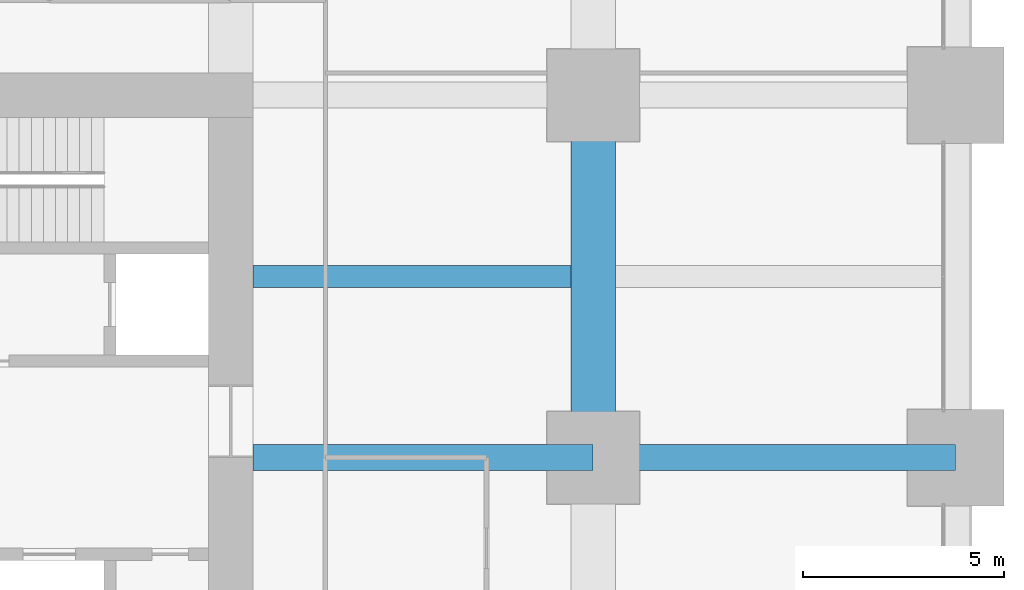
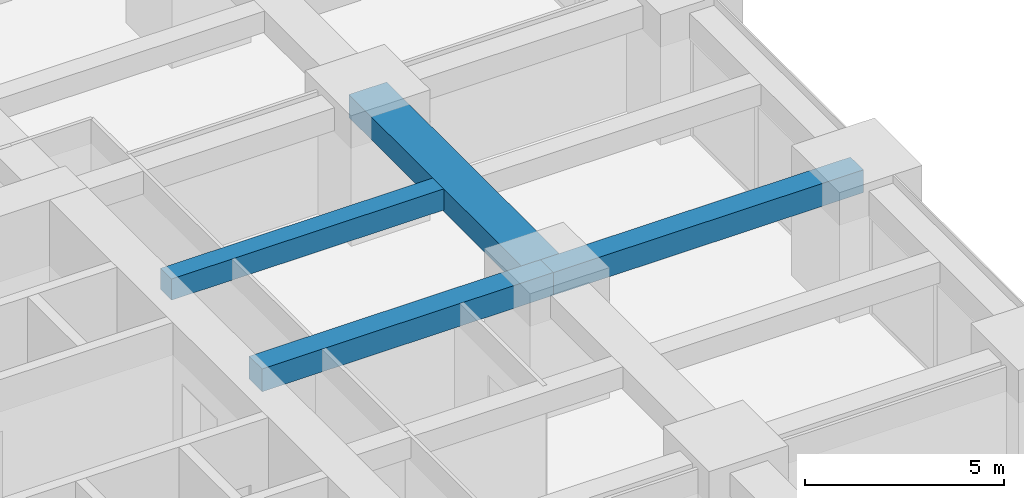
# One storey, part 21 of 44: 4 beams.
"""IFC4 building model written with IfcOpenShell, lengths in metres."""

from ifc_helpers import new_model, si_unit, direction, frame, origin, origin_2d, place, context, subcontext, project, spatial, rectangle, extrude, material, material_profile, profile_set, type_object, element, save


model = new_model("IFC4")

# Units and contexts
model_context = context("Model", 3, precision=1e-05, world=origin(), true_north=direction((0.0, 1.0)))
body_context = subcontext(model_context, "Body", "Model", "MODEL_VIEW")
ifc_project = project(units=[si_unit("LENGTHUNIT", "METRE"), si_unit("AREAUNIT", "SQUARE_METRE"), si_unit("VOLUMEUNIT", "CUBIC_METRE"), si_unit("PLANEANGLEUNIT", "RADIAN"), si_unit("MASSUNIT", "GRAM", prefix="KILO")], contexts=[model_context])

# Site, building, storey
site_placement = place(None, origin())
site = spatial("IfcSite", under=ifc_project, at=site_placement, CompositionType="ELEMENT")
building_placement = place(site_placement, origin())
building = spatial("IfcBuilding", under=site, at=building_placement, Name="Zorevar Civic Tower", CompositionType="ELEMENT")
storey_placement = place(building_placement, frame((0.0, 0.0, 31.800048828125)))
storey = spatial("IfcBuildingStorey", under=building, at=storey_placement, Name="L07", CompositionType="ELEMENT", Elevation=31.800048828125)

# Beams
ifc_material_1 = material(Name="Concrete C50/60", Category="concrete")
ifc_material_profile_1 = material_profile(ifc_material_1, rectangle(XDim=1.10009765625, YDim=0.699951171875, at=origin_2d()), Name="RC 1100x700")
ifc_profile_set_1 = profile_set([ifc_material_profile_1], Name="Concrete C50/60")
beam_type_1 = type_object("IfcBeamType", Name="Beam RC 1100x700", PredefinedType="BEAM", material=ifc_profile_set_1)
beam_1_placement = place(storey_placement, frame((54.0, 27.0, 3.39990234375), z_axis=(0.0, 1.0, 0.0), x_axis=(-1.0, 0.0, 0.0)))
element("IfcBeam", 1, at=beam_1_placement, inside=storey, type_object=beam_type_1, Name="Girder L08", PredefinedType="BEAM", context=body_context, shape_type="SweptSolid", body=[
    extrude(rectangle(XDim=1.10009765625, YDim=0.699951171875, at=origin_2d()), origin(), (0.0, 0.0, 1.0), 9.0),
])
ifc_material_2 = material(Name="Concrete C50/60", Category="concrete")
ifc_material_profile_2 = material_profile(ifc_material_2, rectangle(XDim=0.550048828125, YDim=0.64990234375, at=origin_2d()), Name="RC 550x650")
ifc_profile_set_2 = profile_set([ifc_material_profile_2], Name="Concrete C50/60")
beam_type_2 = type_object("IfcBeamType", Name="Beam RC 550x650", PredefinedType="BEAM", material=ifc_profile_set_2)
beam_2_placement = place(storey_placement, frame((45.550048828125, 31.5, 3.425048828125), z_axis=(1.0, 0.0, 0.0), x_axis=(0.0, 1.0, 0.0)))
element("IfcBeam", 2, at=beam_2_placement, inside=storey, type_object=beam_type_2, Name="Secondary beam L08", PredefinedType="BEAM", context=body_context, shape_type="SweptSolid", body=[
    extrude(rectangle(XDim=0.550048828125, YDim=0.64990234375, at=origin_2d()), origin(), (0.0, 0.0, 1.0), 7.89990234375),
])
ifc_material_3 = material(Name="Concrete C50/60", Category="concrete")
ifc_material_profile_3 = material_profile(ifc_material_3, rectangle(XDim=0.64990234375, YDim=0.699951171875, at=origin_2d()), Name="RC 650x700")
ifc_profile_set_3 = profile_set([ifc_material_profile_3], Name="Concrete C50/60")
beam_type_3 = type_object("IfcBeamType", Name="Beam RC 650x700", PredefinedType="BEAM", material=ifc_profile_set_3)
beam_3_placement = place(storey_placement, frame((45.550048828125, 27.0, 3.39990234375), z_axis=(1.0, 0.0, 0.0), x_axis=(0.0, 1.0, 0.0)))
element("IfcBeam", 3, at=beam_3_placement, inside=storey, type_object=beam_type_3, Name="Girder L08", PredefinedType="BEAM", context=body_context, shape_type="SweptSolid", body=[
    extrude(rectangle(XDim=0.64990234375, YDim=0.699951171875, at=origin_2d()), origin(), (0.0, 0.0, 1.0), 8.449951171875),
])
beam_4_placement = place(storey_placement, frame((54.0, 27.0, 3.39990234375), z_axis=(1.0, 0.0, 0.0), x_axis=(0.0, 1.0, 0.0)))
element("IfcBeam", 4, at=beam_4_placement, inside=storey, type_object=beam_type_3, Name="Girder L08", PredefinedType="BEAM", context=body_context, shape_type="SweptSolid", body=[
    extrude(rectangle(XDim=0.64990234375, YDim=0.699951171875, at=origin_2d()), origin(), (0.0, 0.0, 1.0), 9.0),
])

save(model, "model.ifc")
